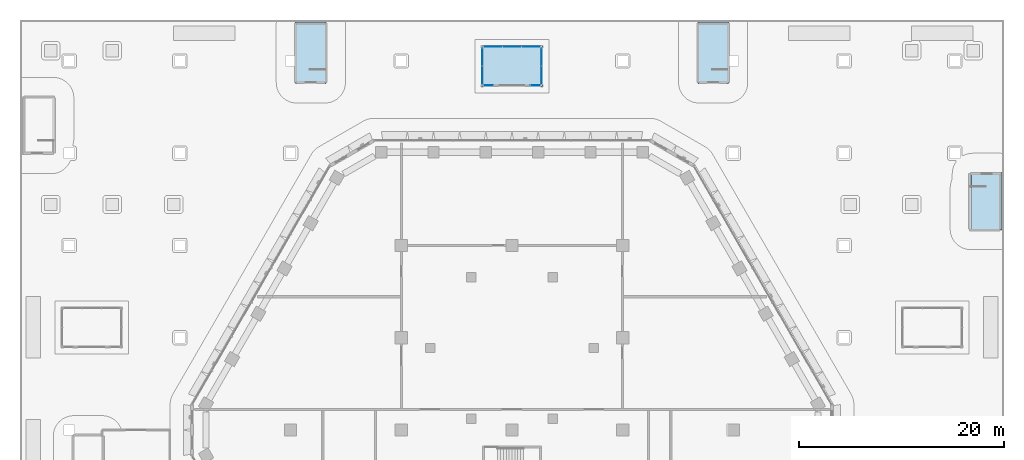
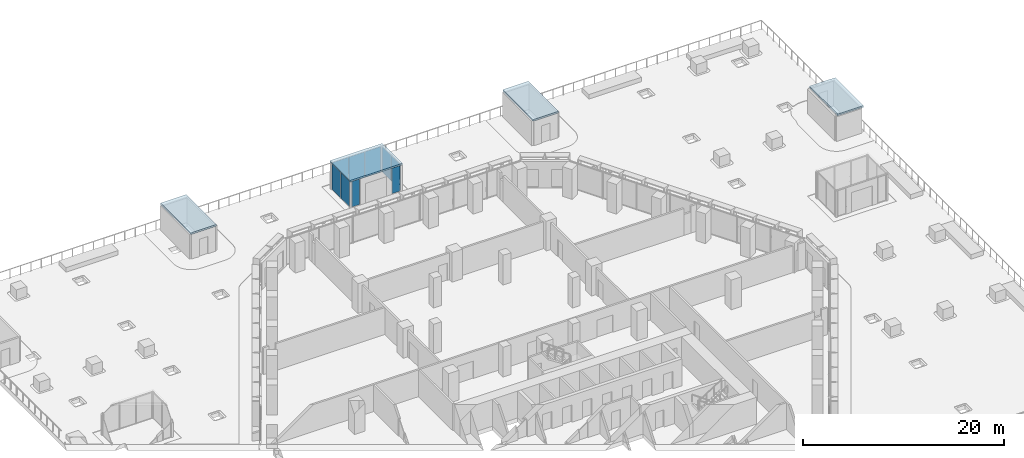
# One storey, part 20 of 38: 9 plates, 4 slabs, 5 elements without a shape of their own.
"""IFC4 building model written with IfcOpenShell, lengths in metres."""

from ifc_helpers import new_model, si_unit, direction, frame, origin, origin_2d, place, context, subcontext, project, spatial, polyline, rectangle, outline, extrude, material, layer, layer_set, type_object, element, aggregate, save


model = new_model("IFC4")

# Units and contexts
model_context = context("Model", 3, precision=1e-05, world=origin(), true_north=direction((0.0, 1.0)))
body_context = subcontext(model_context, "Body", "Model", "MODEL_VIEW")
ifc_project = project(units=[si_unit("LENGTHUNIT", "METRE"), si_unit("AREAUNIT", "SQUARE_METRE"), si_unit("VOLUMEUNIT", "CUBIC_METRE"), si_unit("PLANEANGLEUNIT", "RADIAN"), si_unit("MASSUNIT", "GRAM", prefix="KILO")], contexts=[model_context])

# Site, building, storey
site_placement = place(None, origin())
site = spatial("IfcSite", under=ifc_project, at=site_placement, CompositionType="ELEMENT")
building_placement = place(site_placement, origin())
building = spatial("IfcBuilding", under=site, at=building_placement, Name="Beryl Residences", CompositionType="ELEMENT")
storey_placement = place(building_placement, frame((0.0, 0.0, 9.0)))
storey = spatial("IfcBuildingStorey", under=building, at=storey_placement, Name="L02", CompositionType="ELEMENT", Elevation=9.0)

# Curtain wall, plate
ifc_material_1 = material(Name="Aluminium and clear glass", Category="aluminium")
curtain_wall_type = type_object("IfcCurtainWallType", Name="CW6 garden pavilion glazing glazed wall", PredefinedType="NOTDEFINED", material=ifc_material_1)
curtain_wall_1_placement = place(storey_placement, origin())
curtain_wall_1 = element("IfcCurtainWall", 1, at=curtain_wall_1_placement, inside=storey, type_object=curtain_wall_type, Name="CW6 pavilion 3 s0", PredefinedType="NOTDEFINED")
ifc_material_2 = material(Name="Clear laminated glass", Category="glass")
ifc_layer_1 = layer(ifc_material_2, 0.028076171875)
ifc_layer_set_1 = layer_set([ifc_layer_1], Name="CW6-P glazing panel 28 mm")
plate_type = type_object("IfcPlateType", Name="CW6-P glazing panel 28 mm", PredefinedType="CURTAIN_PANEL", material=ifc_layer_set_1)
plate_1_placement = place(storey_placement, frame((-2.300048828125, 33.60009765625, 0.050048828125), z_axis=(0.0, 0.0, 1.0), x_axis=(1.0, 0.0, 0.0)))
plate_1 = element("IfcPlate", 2, at=plate_1_placement, type_object=plate_type, Name="CW6 panel 1.1", PredefinedType="CURTAIN_PANEL", context=body_context, shape_type="SweptSolid", body=[
    extrude(rectangle(XDim=0.89990234375, YDim=0.028076171875, at=origin_2d()), origin(), (0.0, 0.0, 1.0), 3.10009765625),
])
aggregate(curtain_wall_1, [plate_1])

curtain_wall_2_placement = place(storey_placement, origin())
curtain_wall_2 = element("IfcCurtainWall", 3, at=curtain_wall_2_placement, inside=storey, type_object=curtain_wall_type, Name="CW6 pavilion 3 s2", PredefinedType="NOTDEFINED")
plate_2_placement = place(storey_placement, frame((2.300048828125, 33.60009765625, 0.050048828125), z_axis=(0.0, 0.0, 1.0), x_axis=(1.0, 0.0, 0.0)))
plate_2 = element("IfcPlate", 4, at=plate_2_placement, type_object=plate_type, Name="CW6 panel 1.1", PredefinedType="CURTAIN_PANEL", context=body_context, shape_type="SweptSolid", body=[
    extrude(rectangle(XDim=0.89990234375, YDim=0.028076171875, at=origin_2d()), origin(), (0.0, 0.0, 1.0), 3.10009765625),
])
aggregate(curtain_wall_2, [plate_2])

# Curtain wall, plates
curtain_wall_3_placement = place(storey_placement, origin())
curtain_wall_3 = element("IfcCurtainWall", 5, at=curtain_wall_3_placement, inside=storey, type_object=curtain_wall_type, Name="CW6 pavilion 3 e", PredefinedType="NOTDEFINED")
plate_3_placement = place(storey_placement, frame((2.89990234375, 34.612548828125, 0.050048828125), z_axis=(0.0, 0.0, 1.0), x_axis=(0.0, 1.0, 0.0)))
plate_3 = element("IfcPlate", 6, at=plate_3_placement, type_object=plate_type, Name="CW6 panel 1.1", PredefinedType="CURTAIN_PANEL", context=body_context, shape_type="SweptSolid", body=[
    extrude(rectangle(XDim=1.72509765625, YDim=0.028076171875, at=origin_2d()), origin(), (0.0, 0.0, 1.0), 3.10009765625),
])
plate_4_placement = place(storey_placement, frame((2.89990234375, 36.387451171875, 0.050048828125), z_axis=(0.0, 0.0, 1.0), x_axis=(0.0, 1.0, 0.0)))
plate_4 = element("IfcPlate", 7, at=plate_4_placement, type_object=plate_type, Name="CW6 panel 2.1", PredefinedType="CURTAIN_PANEL", context=body_context, shape_type="SweptSolid", body=[
    extrude(rectangle(XDim=1.72509765625, YDim=0.028076171875, at=origin_2d()), origin(), (0.0, 0.0, 1.0), 3.10009765625),
])
aggregate(curtain_wall_3, [plate_3, plate_4])

curtain_wall_4_placement = place(storey_placement, origin())
curtain_wall_4 = element("IfcCurtainWall", 8, at=curtain_wall_4_placement, inside=storey, type_object=curtain_wall_type, Name="CW6 pavilion 3 n", PredefinedType="NOTDEFINED")
plate_5_placement = place(storey_placement, frame((1.854248046875, 37.39990234375, 0.050048828125), z_axis=(0.0, 0.0, 1.0), x_axis=(-1.0, 0.0, 0.0)))
plate_5 = element("IfcPlate", 9, at=plate_5_placement, type_object=plate_type, Name="CW6 panel 1.1", PredefinedType="CURTAIN_PANEL", context=body_context, shape_type="SweptSolid", body=[
    extrude(rectangle(XDim=1.791748046875, YDim=0.028076171875, at=origin_2d()), origin(), (0.0, 0.0, 1.0), 3.10009765625),
])
plate_6_placement = place(storey_placement, frame((0.0, 37.39990234375, 0.050048828125), z_axis=(0.0, 0.0, 1.0), x_axis=(-1.0, 0.0, 0.0)))
plate_6 = element("IfcPlate", 10, at=plate_6_placement, type_object=plate_type, Name="CW6 panel 2.1", PredefinedType="CURTAIN_PANEL", context=body_context, shape_type="SweptSolid", body=[
    extrude(rectangle(XDim=1.816650390625, YDim=0.028076171875, at=origin_2d()), origin(), (0.0, 0.0, 1.0), 3.10009765625),
])
plate_7_placement = place(storey_placement, frame((-1.854248046875, 37.39990234375, 0.050048828125), z_axis=(0.0, 0.0, 1.0), x_axis=(-1.0, 0.0, 0.0)))
plate_7 = element("IfcPlate", 11, at=plate_7_placement, type_object=plate_type, Name="CW6 panel 3.1", PredefinedType="CURTAIN_PANEL", context=body_context, shape_type="SweptSolid", body=[
    extrude(rectangle(XDim=1.791748046875, YDim=0.028076171875, at=origin_2d()), origin(), (0.0, 0.0, 1.0), 3.10009765625),
])
aggregate(curtain_wall_4, [plate_5, plate_6, plate_7])

curtain_wall_5_placement = place(storey_placement, origin())
curtain_wall_5 = element("IfcCurtainWall", 12, at=curtain_wall_5_placement, inside=storey, type_object=curtain_wall_type, Name="CW6 pavilion 3 w", PredefinedType="NOTDEFINED")
plate_8_placement = place(storey_placement, frame((-2.89990234375, 36.387451171875, 0.050048828125), z_axis=(0.0, 0.0, 1.0), x_axis=(0.0, -1.0, 0.0)))
plate_8 = element("IfcPlate", 13, at=plate_8_placement, type_object=plate_type, Name="CW6 panel 1.1", PredefinedType="CURTAIN_PANEL", context=body_context, shape_type="SweptSolid", body=[
    extrude(rectangle(XDim=1.72509765625, YDim=0.028076171875, at=origin_2d()), origin(), (0.0, 0.0, 1.0), 3.10009765625),
])
plate_9_placement = place(storey_placement, frame((-2.89990234375, 34.612548828125, 0.050048828125), z_axis=(0.0, 0.0, 1.0), x_axis=(0.0, -1.0, 0.0)))
plate_9 = element("IfcPlate", 14, at=plate_9_placement, type_object=plate_type, Name="CW6 panel 2.1", PredefinedType="CURTAIN_PANEL", context=body_context, shape_type="SweptSolid", body=[
    extrude(rectangle(XDim=1.72509765625, YDim=0.028076171875, at=origin_2d()), origin(), (0.0, 0.0, 1.0), 3.10009765625),
])
aggregate(curtain_wall_5, [plate_8, plate_9])

# Slabs
ifc_material_3 = material(Name="Precast concrete C40/50", Category="concrete")
ifc_layer_2 = layer(ifc_material_3, 0.199951171875)
ifc_layer_set_2 = layer_set([ifc_layer_2], Name="PR1 pavilion roof 200 mm")
slab_type_1 = type_object("IfcSlabType", Name="PR1 pavilion roof 200 mm", PredefinedType="ROOF", material=ifc_layer_set_2)
slab_1_placement = place(storey_placement, frame((0.0, 0.0, 3.199951171875)))
element("IfcSlab", 15, at=slab_1_placement, inside=storey, type_object=slab_type_1, Name="PR1 pavilion roof 3", PredefinedType="ROOF", context=body_context, shape_type="SweptSolid", body=[
    extrude(outline(polyline([(-3.0, 33.5), (3.0, 33.5), (3.0, 37.5), (-3.0, 37.5), (-3.0, 33.5)])), origin(), (0.0, 0.0, 1.0), 0.199951171875),
])
ifc_material_4 = material(Name="Concrete C40/50", Category="concrete")
ifc_layer_3 = layer(ifc_material_4, 0.199951171875)
ifc_layer_set_3 = layer_set([ifc_layer_3], Name="SX2 roof slab 200 mm Concrete C40/50")
slab_type_2 = type_object("IfcSlabType", Name="SX2 roof slab 200 mm Concrete C40/50", PredefinedType="ROOF", material=ifc_layer_set_3)
slab_2_placement = place(storey_placement, frame((0.0, 0.0, 3.0)))
element("IfcSlab", 16, at=slab_2_placement, inside=storey, type_object=slab_type_2, Name="Slab SX2 L02 001", PredefinedType="ROOF", context=body_context, shape_type="SweptSolid", body=[
    extrude(outline(polyline([(-18.14990234375, 33.800048828125), (-18.14990234375, 39.800048828125), (-21.10009765625, 39.800048828125), (-21.10009765625, 33.800048828125), (-18.14990234375, 33.800048828125)])), origin(), (0.0, 0.0, 1.0), 0.199951171875),
])
slab_3_placement = place(storey_placement, frame((0.0, 0.0, 3.0)))
element("IfcSlab", 17, at=slab_3_placement, inside=storey, type_object=slab_type_2, Name="Slab SX2 L02 002", PredefinedType="ROOF", context=body_context, shape_type="SweptSolid", body=[
    extrude(outline(polyline([(21.10009765625, 33.800048828125), (21.10009765625, 39.800048828125), (18.14990234375, 39.800048828125), (18.14990234375, 33.800048828125), (21.10009765625, 33.800048828125)])), origin(), (0.0, 0.0, 1.0), 0.199951171875),
])
slab_4_placement = place(storey_placement, frame((0.0, 0.0, 3.0)))
element("IfcSlab", 18, at=slab_4_placement, inside=storey, type_object=slab_type_2, Name="Slab SX2 L02 005", PredefinedType="ROOF", context=body_context, shape_type="SweptSolid", body=[
    extrude(outline(polyline([(47.800048828125, 19.5), (47.800048828125, 25.10009765625), (44.85009765625, 25.10009765625), (44.85009765625, 19.5), (47.800048828125, 19.5)])), origin(), (0.0, 0.0, 1.0), 0.199951171875),
])

save(model, "model.ifc")
